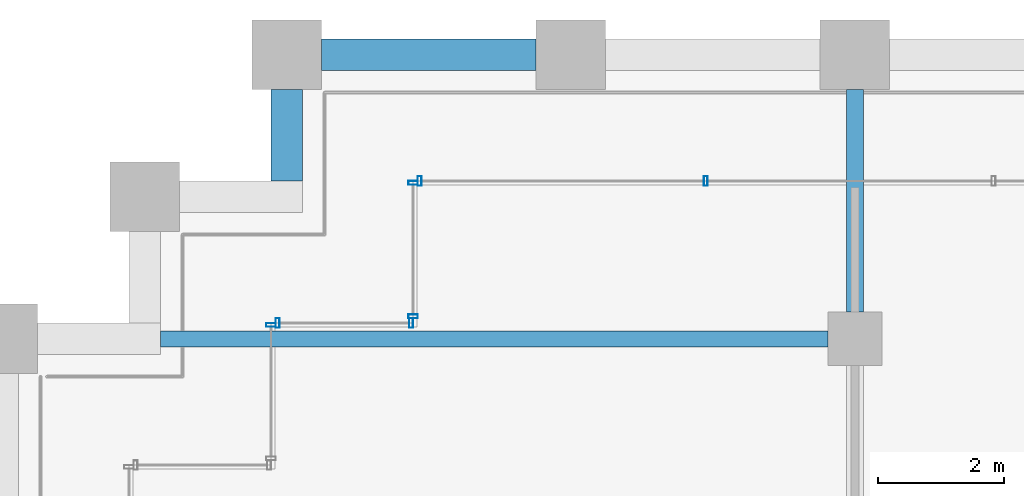
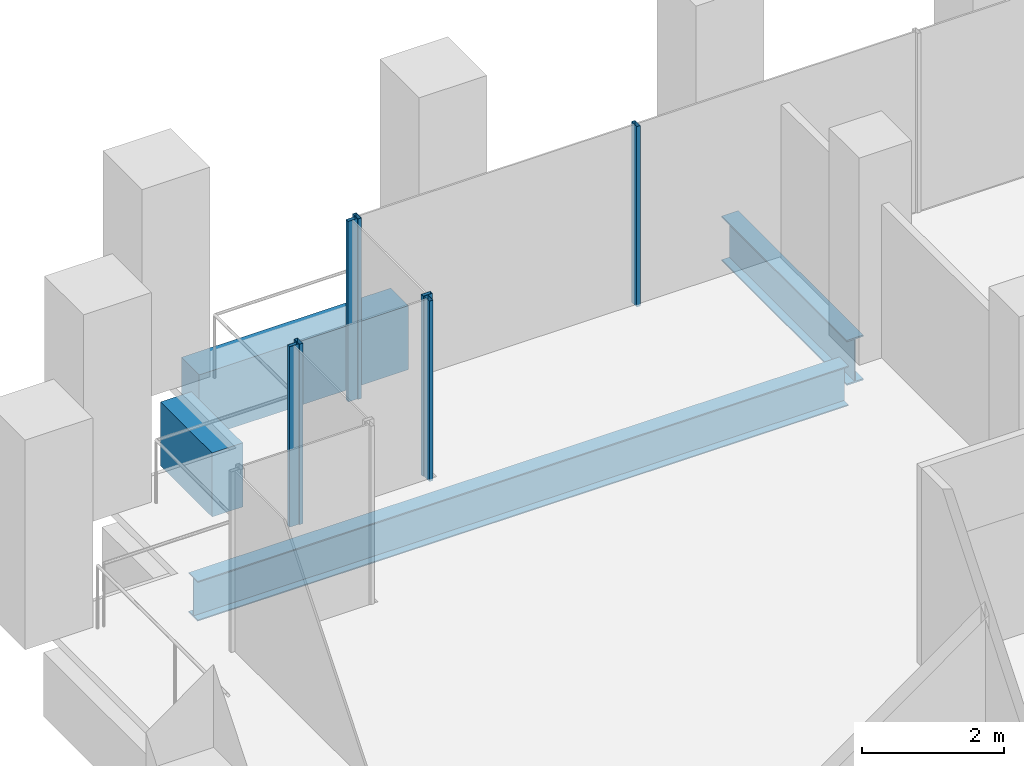
# One storey, part 26 of 56: 7 members, 4 beams, 4 elements without a shape of their own.
"""IFC4 building model written with IfcOpenShell, lengths in metres."""

from ifc_helpers import new_model, si_unit, direction, frame, origin, origin_2d, place, context, subcontext, project, spatial, rectangle, hollow_rectangle, i_section, extrude, material, material_profile, profile_set, type_object, element, aggregate, save


model = new_model("IFC4")

# Units and contexts
model_context = context("Model", 3, precision=1e-05, world=origin(), true_north=direction((0.0, 1.0)))
body_context = subcontext(model_context, "Body", "Model", "MODEL_VIEW")
ifc_project = project(units=[si_unit("LENGTHUNIT", "METRE"), si_unit("AREAUNIT", "SQUARE_METRE"), si_unit("VOLUMEUNIT", "CUBIC_METRE"), si_unit("PLANEANGLEUNIT", "RADIAN"), si_unit("MASSUNIT", "GRAM", prefix="KILO")], contexts=[model_context])

# Site, building, storey
site_placement = place(None, origin())
site = spatial("IfcSite", under=ifc_project, at=site_placement, CompositionType="ELEMENT")
building_placement = place(site_placement, origin())
building = spatial("IfcBuilding", under=site, at=building_placement, Name="Altepetl Exchange Towers", CompositionType="ELEMENT")
storey_placement = place(building_placement, frame((0.0, 0.0, 76.199951171875)))
storey = spatial("IfcBuildingStorey", under=building, at=storey_placement, Name="L18", CompositionType="ELEMENT", Elevation=76.199951171875)

# Beams
ifc_material_1 = material(Name="Steel S355", Category="steel")
ifc_material_profile_1 = material_profile(ifc_material_1, i_section(OverallWidth=0.25390625, OverallDepth=0.68408203125, WebThickness=0.012451171875, FlangeThickness=0.018798828125, at=origin_2d()), Name="W27X94")
ifc_profile_set_1 = profile_set([ifc_material_profile_1], Name="Steel S355")
beam_type_1 = type_object("IfcBeamType", Name="Floor beam W27X94", PredefinedType="BEAM", material=ifc_profile_set_1)
beam_1_placement = place(storey_placement, frame((29.5, 67.5, -0.491943359375), z_axis=(1.0, 0.0, 0.0), x_axis=(0.0, 1.0, 0.0)))
element("IfcBeam", 1, at=beam_1_placement, inside=storey, type_object=beam_type_1, Name="bm:A:L18:023", PredefinedType="BEAM", context=body_context, shape_type="SweptSolid", body=[
    extrude(i_section(OverallWidth=0.25390625, OverallDepth=0.68408203125, WebThickness=0.012451171875, FlangeThickness=0.018798828125, at=origin_2d()), origin(), (0.0, 0.0, 1.0), 10.574951171875),
])
ifc_material_profile_2 = material_profile(ifc_material_1, i_section(OverallWidth=0.26806640625, OverallDepth=0.77392578125, WebThickness=0.015380859375, FlangeThickness=0.025390625, at=origin_2d()), Name="W30X132")
ifc_profile_set_2 = profile_set([ifc_material_profile_2], Name="Steel S355")
beam_type_2 = type_object("IfcBeamType", Name="Girder W30X132", PredefinedType="BEAM", material=ifc_profile_set_2)
beam_2_placement = place(storey_placement, frame((40.5, 71.449951171875, -0.536865234375), z_axis=(0.0, -1.0, 0.0), x_axis=(1.0, 0.0, 0.0)))
element("IfcBeam", 2, at=beam_2_placement, inside=storey, type_object=beam_type_2, Name="gd:A:L18:003", PredefinedType="BEAM", context=body_context, shape_type="SweptSolid", body=[
    extrude(i_section(OverallWidth=0.26806640625, OverallDepth=0.77392578125, WebThickness=0.015380859375, FlangeThickness=0.025390625, at=origin_2d()), origin(), (0.0, 0.0, 1.0), 3.52490234375),
])

# Curtain wall, members
ifc_material_2 = material(Name="Aluminium 6063-T6 glazing", Category="aluminium")
curtain_wall_type = type_object("IfcCurtainWallType", Name="Loggia glazing system", PredefinedType="NOTDEFINED", material=ifc_material_2)
curtain_wall_1_placement = place(storey_placement, origin())
curtain_wall_1 = element("IfcCurtainWall", 3, at=curtain_wall_1_placement, inside=storey, type_object=curtain_wall_type, Name="CW1 run", PredefinedType="NOTDEFINED")
ifc_material_3 = material(Name="Aluminium 6063-T6", Category="aluminium")
ifc_material_profile_3 = material_profile(ifc_material_3, hollow_rectangle(XDim=0.06005859375, YDim=0.14990234375, WallThickness=0.0029296875, at=origin_2d()), Name="Mullion 60x150 aluminium")
ifc_profile_set_3 = profile_set([ifc_material_profile_3], Name="Aluminium 6063-T6")
member_type = type_object("IfcMemberType", Name="Mullion 60x150 aluminium", PredefinedType="MULLION", material=ifc_profile_set_3)
member_1_placement = place(storey_placement, frame((38.1357421875, 70.0, 0.0), z_axis=(0.0, 0.0, 1.0), x_axis=(-1.0, 0.0, 0.0)))
member_1 = element("IfcMember", 4, at=member_1_placement, type_object=member_type, Name="MU1 mullion", PredefinedType="MULLION", context=body_context, shape_type="SweptSolid", body=[
    extrude(hollow_rectangle(XDim=0.06005859375, YDim=0.14990234375, WallThickness=0.0029296875, at=origin_2d()), origin(), (0.0, 0.0, 1.0), 3.10009765625),
])
member_2_placement = place(storey_placement, frame((33.60498046875, 70.0, 0.0), z_axis=(0.0, 0.0, 1.0), x_axis=(-1.0, 0.0, 0.0)))
member_2 = element("IfcMember", 5, at=member_2_placement, type_object=member_type, Name="MU1 mullion", PredefinedType="MULLION", context=body_context, shape_type="SweptSolid", body=[
    extrude(hollow_rectangle(XDim=0.06005859375, YDim=0.14990234375, WallThickness=0.0029296875, at=origin_2d()), origin(), (0.0, 0.0, 1.0), 3.10009765625),
])
aggregate(curtain_wall_1, [member_1, member_2])

curtain_wall_2_placement = place(storey_placement, origin())
curtain_wall_2 = element("IfcCurtainWall", 6, at=curtain_wall_2_placement, inside=storey, type_object=curtain_wall_type, Name="CW1 run", PredefinedType="NOTDEFINED")
member_3_placement = place(storey_placement, frame((33.5, 69.969970703125, 0.0), z_axis=(0.0, 0.0, 1.0), x_axis=(0.0, -1.0, 0.0)))
member_3 = element("IfcMember", 7, at=member_3_placement, type_object=member_type, Name="MU1 mullion", PredefinedType="MULLION", context=body_context, shape_type="SweptSolid", body=[
    extrude(hollow_rectangle(XDim=0.06005859375, YDim=0.14990234375, WallThickness=0.0029296875, at=origin_2d()), origin(), (0.0, 0.0, 1.0), 3.10009765625),
])
member_4_placement = place(storey_placement, frame((33.5, 67.85498046875, 0.0), z_axis=(0.0, 0.0, 1.0), x_axis=(0.0, -1.0, 0.0)))
member_4 = element("IfcMember", 8, at=member_4_placement, type_object=member_type, Name="MU1 mullion", PredefinedType="MULLION", context=body_context, shape_type="SweptSolid", body=[
    extrude(hollow_rectangle(XDim=0.06005859375, YDim=0.14990234375, WallThickness=0.0029296875, at=origin_2d()), origin(), (0.0, 0.0, 1.0), 3.10009765625),
])
aggregate(curtain_wall_2, [member_3, member_4])

curtain_wall_3_placement = place(storey_placement, origin())
curtain_wall_3 = element("IfcCurtainWall", 9, at=curtain_wall_3_placement, inside=storey, type_object=curtain_wall_type, Name="CW1 run", PredefinedType="NOTDEFINED")
member_5_placement = place(storey_placement, frame((33.469970703125, 67.75, 0.0), z_axis=(0.0, 0.0, 1.0), x_axis=(-1.0, 0.0, 0.0)))
member_5 = element("IfcMember", 10, at=member_5_placement, type_object=member_type, Name="MU1 mullion", PredefinedType="MULLION", context=body_context, shape_type="SweptSolid", body=[
    extrude(hollow_rectangle(XDim=0.06005859375, YDim=0.14990234375, WallThickness=0.0029296875, at=origin_2d()), origin(), (0.0, 0.0, 1.0), 3.10009765625),
])
member_6_placement = place(storey_placement, frame((31.35498046875, 67.75, 0.0), z_axis=(0.0, 0.0, 1.0), x_axis=(-1.0, 0.0, 0.0)))
member_6 = element("IfcMember", 11, at=member_6_placement, type_object=member_type, Name="MU1 mullion", PredefinedType="MULLION", context=body_context, shape_type="SweptSolid", body=[
    extrude(hollow_rectangle(XDim=0.06005859375, YDim=0.14990234375, WallThickness=0.0029296875, at=origin_2d()), origin(), (0.0, 0.0, 1.0), 3.10009765625),
])
aggregate(curtain_wall_3, [member_5, member_6])

# Curtain wall, member
curtain_wall_4_placement = place(storey_placement, origin())
curtain_wall_4 = element("IfcCurtainWall", 12, at=curtain_wall_4_placement, inside=storey, type_object=curtain_wall_type, Name="CW1 run", PredefinedType="NOTDEFINED")
member_7_placement = place(storey_placement, frame((31.25, 67.719970703125, 0.0), z_axis=(0.0, 0.0, 1.0), x_axis=(0.0, -1.0, 0.0)))
member_7 = element("IfcMember", 13, at=member_7_placement, type_object=member_type, Name="MU1 mullion", PredefinedType="MULLION", context=body_context, shape_type="SweptSolid", body=[
    extrude(hollow_rectangle(XDim=0.06005859375, YDim=0.14990234375, WallThickness=0.0029296875, at=origin_2d()), origin(), (0.0, 0.0, 1.0), 3.10009765625),
])
aggregate(curtain_wall_4, [member_7])

# Beams
ifc_material_4 = material(Name="Concrete C50/60 precast with tezontle facing", Category="concrete")
ifc_material_profile_4 = material_profile(ifc_material_4, rectangle(XDim=0.5, YDim=1.10009765625, at=origin_2d()), Name="500 x 1100")
ifc_profile_set_4 = profile_set([ifc_material_profile_4], Name="Concrete C50/60 precast with tezontle facing")
beam_type_3 = type_object("IfcBeamType", Name="Spandrel beam 500x1100 tezontle", PredefinedType="SPANDREL", material=ifc_profile_set_4)
beam_3_placement = place(storey_placement, frame((35.449951171875, 72.0, -0.699951171875), z_axis=(-1.0, 0.0, 0.0), x_axis=(0.0, -1.0, 0.0)))
element("IfcBeam", 14, at=beam_3_placement, inside=storey, type_object=beam_type_3, Name="sp:A:L18:031", PredefinedType="SPANDREL", context=body_context, shape_type="SweptSolid", body=[
    extrude(rectangle(XDim=0.5, YDim=1.10009765625, at=origin_2d()), origin(), (0.0, 0.0, 1.0), 3.39990234375),
])
beam_4_placement = place(storey_placement, frame((31.5, 71.449951171875, -0.699951171875), z_axis=(0.0, -1.0, 0.0), x_axis=(1.0, 0.0, 0.0)))
element("IfcBeam", 15, at=beam_4_placement, inside=storey, type_object=beam_type_3, Name="sp:A:L18:032", PredefinedType="SPANDREL", context=body_context, shape_type="SweptSolid", body=[
    extrude(rectangle(XDim=0.5, YDim=1.10009765625, at=origin_2d()), origin(), (0.0, 0.0, 1.0), 1.449951171875),
])

save(model, "model.ifc")
